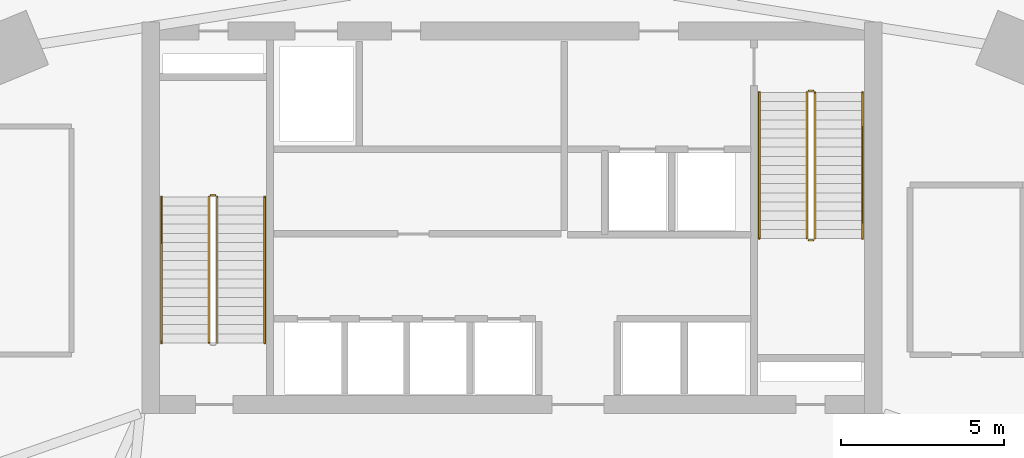
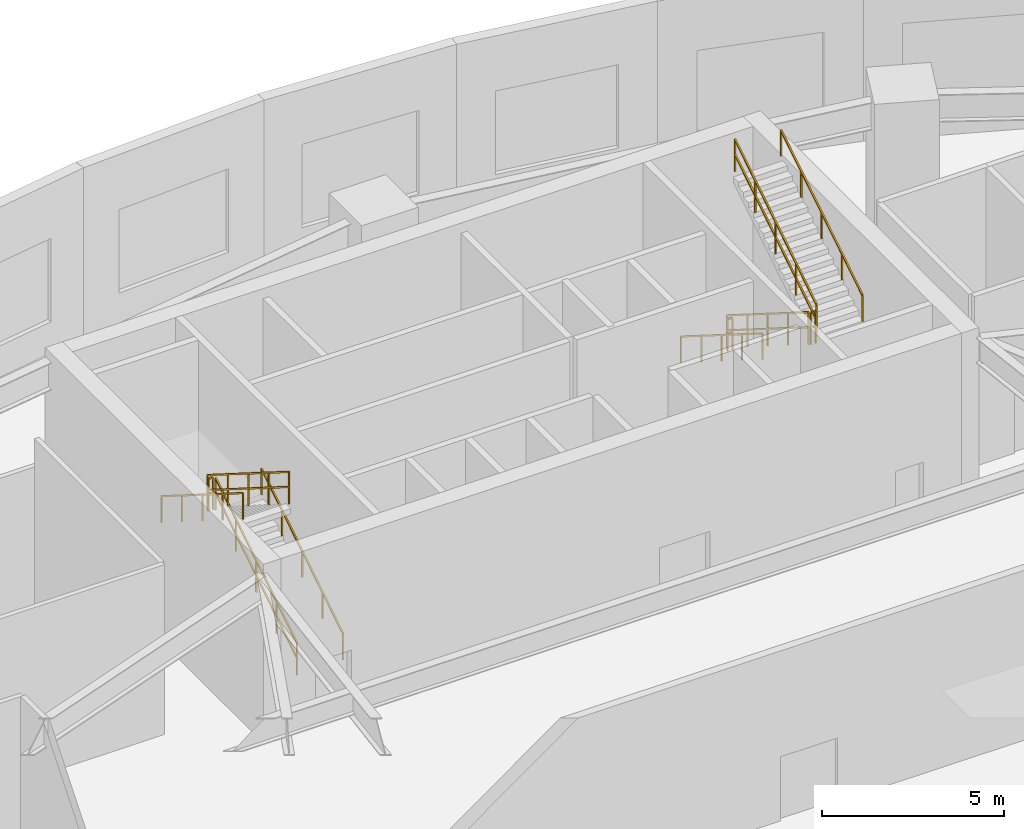
# One storey, part 9 of 10: 11 railings.
"""IFC4 building model written with IfcOpenShell, lengths in metres."""

from ifc_helpers import new_model, si_unit, direction, frame, origin, origin_2d, place, context, subcontext, project, spatial, rectangle, extrude, material, type_object, element, save


model = new_model("IFC4")

# Units and contexts
model_context = context("Model", 3, precision=1e-05, world=origin(), true_north=direction((0.0, 1.0)))
body_context = subcontext(model_context, "Body", "Model", "MODEL_VIEW")
ifc_project = project(units=[si_unit("LENGTHUNIT", "METRE"), si_unit("AREAUNIT", "SQUARE_METRE"), si_unit("VOLUMEUNIT", "CUBIC_METRE"), si_unit("PLANEANGLEUNIT", "RADIAN"), si_unit("MASSUNIT", "GRAM", prefix="KILO")], contexts=[model_context])

# Site, building, storey
site_placement = place(None, origin())
site = spatial("IfcSite", under=ifc_project, at=site_placement, CompositionType="ELEMENT")
building_placement = place(site_placement, origin())
building = spatial("IfcBuilding", under=site, at=building_placement, Name="Breltana Convention Tower", CompositionType="ELEMENT")
storey_placement = place(building_placement, frame((0.0, 0.0, 6.0)))
storey = spatial("IfcBuildingStorey", under=building, at=storey_placement, Name="L01", CompositionType="ELEMENT", Elevation=6.0)

# Railings
ifc_material_1 = material(Name="Steel S275 Painted", Category="steel")
railing_type_1 = type_object("IfcRailingType", Name="RL-STAIR-GUARD-1100", PredefinedType="GUARDRAIL", material=ifc_material_1)
railing_1_placement = place(storey_placement, frame((38.9599609375, 62.360107421875, 0.176513671875)))
element("IfcRailing", 1, at=railing_1_placement, inside=storey, type_object=railing_type_1, Name="L01 ST-1 stair guard 1", PredefinedType="GUARDRAIL", context=body_context, shape_type="SweptSolid", body=[
    extrude(rectangle(XDim=0.048095703125, YDim=0.048095703125, at=origin_2d()), frame((0.0, 0.0, 1.076171875), z_axis=(0.0, 0.845997938375, 0.533186166611), x_axis=(-1.0, 0.0, 0.0)), (0.0, 0.0, 1.0), 5.29541015625),
    extrude(rectangle(XDim=0.048095703125, YDim=0.048095703125, at=origin_2d()), frame((0.0, 0.0, 0.572021484375), z_axis=(0.0, 0.845997938375, 0.533186166611), x_axis=(-1.0, 0.0, 0.0)), (0.0, 0.0, 1.0), 5.29541015625),
    extrude(rectangle(XDim=0.0419921875, YDim=0.0419921875, at=origin_2d()), origin(), (0.0, 0.0, 1.0), 1.052001953125),
    extrude(rectangle(XDim=0.0419921875, YDim=0.0419921875, at=origin_2d()), frame((0.0, 1.1201171875, 0.705810546875)), (0.0, 0.0, 1.0), 1.052001953125),
    extrude(rectangle(XDim=0.0419921875, YDim=0.0419921875, at=origin_2d()), frame((0.0, 2.239990234375, 1.41162109375)), (0.0, 0.0, 1.0), 1.052001953125),
    extrude(rectangle(XDim=0.0419921875, YDim=0.0419921875, at=origin_2d()), frame((0.0, 3.35986328125, 2.11767578125)), (0.0, 0.0, 1.0), 1.052001953125),
    extrude(rectangle(XDim=0.0419921875, YDim=0.0419921875, at=origin_2d()), frame((0.0, 4.47998046875, 2.823486328125)), (0.0, 0.0, 1.0), 1.052001953125),
])
railing_2_placement = place(storey_placement, frame((38.909912109375, 66.889892578125, 3.0)))
element("IfcRailing", 2, at=railing_2_placement, inside=storey, type_object=railing_type_1, Name="L01 ST-1 stair guard 2", PredefinedType="GUARDRAIL", context=body_context, shape_type="SweptSolid", body=[
    extrude(rectangle(XDim=0.048095703125, YDim=0.048095703125, at=origin_2d()), frame((0.0, 0.0, 1.076171875), z_axis=(-1.0, 0.0, 0.0), x_axis=(0.0, -1.0, 0.0)), (0.0, 0.0, 1.0), 0.14990234375),
    extrude(rectangle(XDim=0.048095703125, YDim=0.048095703125, at=origin_2d()), frame((0.0, 0.0, 0.572021484375), z_axis=(-1.0, 0.0, 0.0), x_axis=(0.0, -1.0, 0.0)), (0.0, 0.0, 1.0), 0.14990234375),
    extrude(rectangle(XDim=0.0419921875, YDim=0.0419921875, at=origin_2d()), origin(), (0.0, 0.0, 1.0), 1.052001953125),
    extrude(rectangle(XDim=0.0419921875, YDim=0.0419921875, at=origin_2d()), frame((-0.14990234375, 0.0, 0.0)), (0.0, 0.0, 1.0), 1.052001953125),
])
for number, where, name in (
    (3, (38.7099609375, 66.840087890625, 3.176513671875), "L01 ST-1 stair guard 3"),
    (4, (57.0400390625, 70.0400390625, 0.176513671875), "L01 ST-2 stair guard 1"),
):
    element("IfcRailing", number, at=place(storey_placement, frame(where)), inside=storey, type_object=railing_type_1, Name=name, PredefinedType="GUARDRAIL", context=body_context, shape_type="SweptSolid", body=[
        extrude(rectangle(XDim=0.048095703125, YDim=0.048095703125, at=origin_2d()), frame((0.0, 0.0, 1.076171875), z_axis=(0.0, -0.845997938375, 0.533186166611), x_axis=(1.0, 0.0, 0.0)), (0.0, 0.0, 1.0), 5.29541015625),
        extrude(rectangle(XDim=0.048095703125, YDim=0.048095703125, at=origin_2d()), frame((0.0, 0.0, 0.572021484375), z_axis=(0.0, -0.845997938375, 0.533186166611), x_axis=(1.0, 0.0, 0.0)), (0.0, 0.0, 1.0), 5.29541015625),
        extrude(rectangle(XDim=0.0419921875, YDim=0.0419921875, at=origin_2d()), origin(), (0.0, 0.0, 1.0), 1.052001953125),
        extrude(rectangle(XDim=0.0419921875, YDim=0.0419921875, at=origin_2d()), frame((0.0, -1.1201171875, 0.705810546875)), (0.0, 0.0, 1.0), 1.052001953125),
        extrude(rectangle(XDim=0.0419921875, YDim=0.0419921875, at=origin_2d()), frame((0.0, -2.239990234375, 1.41162109375)), (0.0, 0.0, 1.0), 1.052001953125),
        extrude(rectangle(XDim=0.0419921875, YDim=0.0419921875, at=origin_2d()), frame((0.0, -3.35986328125, 2.11767578125)), (0.0, 0.0, 1.0), 1.052001953125),
        extrude(rectangle(XDim=0.0419921875, YDim=0.0419921875, at=origin_2d()), frame((0.0, -4.47998046875, 2.823486328125)), (0.0, 0.0, 1.0), 1.052001953125),
    ])
railing_3_placement = place(storey_placement, frame((57.090087890625, 65.510009765625, 3.0)))
element("IfcRailing", 5, at=railing_3_placement, inside=storey, type_object=railing_type_1, Name="L01 ST-2 stair guard 2", PredefinedType="GUARDRAIL", context=body_context, shape_type="SweptSolid", body=[
    extrude(rectangle(XDim=0.048095703125, YDim=0.048095703125, at=origin_2d()), frame((0.0, 0.0, 1.076171875), z_axis=(1.0, 0.0, 0.0), x_axis=(0.0, 1.0, 0.0)), (0.0, 0.0, 1.0), 0.14990234375),
    extrude(rectangle(XDim=0.048095703125, YDim=0.048095703125, at=origin_2d()), frame((0.0, 0.0, 0.572021484375), z_axis=(1.0, 0.0, 0.0), x_axis=(0.0, 1.0, 0.0)), (0.0, 0.0, 1.0), 0.14990234375),
    extrude(rectangle(XDim=0.0419921875, YDim=0.0419921875, at=origin_2d()), origin(), (0.0, 0.0, 1.0), 1.052001953125),
    extrude(rectangle(XDim=0.0419921875, YDim=0.0419921875, at=origin_2d()), frame((0.14990234375, 0.0, 0.0)), (0.0, 0.0, 1.0), 1.052001953125),
])
railing_4_placement = place(storey_placement, frame((57.2900390625, 65.56005859375, 3.176513671875)))
element("IfcRailing", 6, at=railing_4_placement, inside=storey, type_object=railing_type_1, Name="L01 ST-2 stair guard 3", PredefinedType="GUARDRAIL", context=body_context, shape_type="SweptSolid", body=[
    extrude(rectangle(XDim=0.048095703125, YDim=0.048095703125, at=origin_2d()), frame((0.0, 0.0, 1.076171875), z_axis=(0.0, 0.845997938375, 0.533186166611), x_axis=(-1.0, 0.0, 0.0)), (0.0, 0.0, 1.0), 5.29541015625),
    extrude(rectangle(XDim=0.048095703125, YDim=0.048095703125, at=origin_2d()), frame((0.0, 0.0, 0.572021484375), z_axis=(0.0, 0.845997938375, 0.533186166611), x_axis=(-1.0, 0.0, 0.0)), (0.0, 0.0, 1.0), 5.29541015625),
    extrude(rectangle(XDim=0.0419921875, YDim=0.0419921875, at=origin_2d()), origin(), (0.0, 0.0, 1.0), 1.052001953125),
    extrude(rectangle(XDim=0.0419921875, YDim=0.0419921875, at=origin_2d()), frame((0.0, 1.1201171875, 0.705810546875)), (0.0, 0.0, 1.0), 1.052001953125),
    extrude(rectangle(XDim=0.0419921875, YDim=0.0419921875, at=origin_2d()), frame((0.0, 2.239990234375, 1.41162109375)), (0.0, 0.0, 1.0), 1.052001953125),
    extrude(rectangle(XDim=0.0419921875, YDim=0.0419921875, at=origin_2d()), frame((0.0, 3.35986328125, 2.11767578125)), (0.0, 0.0, 1.0), 1.052001953125),
    extrude(rectangle(XDim=0.0419921875, YDim=0.0419921875, at=origin_2d()), frame((0.0, 4.47998046875, 2.823486328125)), (0.0, 0.0, 1.0), 1.052001953125),
])
railing_5_placement = place(storey_placement, frame((57.090087890625, 70.090087890625, 0.0)))
element("IfcRailing", 7, at=railing_5_placement, inside=storey, type_object=railing_type_1, Name="L01 ST-2 stair guard 4", PredefinedType="GUARDRAIL", context=body_context, shape_type="SweptSolid", body=[
    extrude(rectangle(XDim=0.048095703125, YDim=0.048095703125, at=origin_2d()), frame((0.0, 0.0, 1.076171875), z_axis=(1.0, 0.0, 0.0), x_axis=(0.0, 1.0, 0.0)), (0.0, 0.0, 1.0), 0.14990234375),
    extrude(rectangle(XDim=0.048095703125, YDim=0.048095703125, at=origin_2d()), frame((0.0, 0.0, 0.572021484375), z_axis=(1.0, 0.0, 0.0), x_axis=(0.0, 1.0, 0.0)), (0.0, 0.0, 1.0), 0.14990234375),
    extrude(rectangle(XDim=0.0419921875, YDim=0.0419921875, at=origin_2d()), origin(), (0.0, 0.0, 1.0), 1.052001953125),
    extrude(rectangle(XDim=0.0419921875, YDim=0.0419921875, at=origin_2d()), frame((0.14990234375, 0.0, 0.0)), (0.0, 0.0, 1.0), 1.052001953125),
])
ifc_material_2 = material(Name="Stainless Steel 316L", Category="steel")
railing_type_2 = type_object("IfcRailingType", Name="RL-STAIR-HANDRAIL-900", PredefinedType="HANDRAIL", material=ifc_material_2)
railing_6_placement = place(storey_placement, frame((40.419921875, 62.360107421875, 0.176513671875)))
element("IfcRailing", 8, at=railing_6_placement, inside=storey, type_object=railing_type_2, Name="L01 ST-1 stair handrail 1", PredefinedType="HANDRAIL", context=body_context, shape_type="SweptSolid", body=[
    extrude(rectangle(XDim=0.048095703125, YDim=0.048095703125, at=origin_2d()), frame((0.0, 0.0, 0.8759765625), z_axis=(0.0, 0.845997938375, 0.533186166611), x_axis=(-1.0, 0.0, 0.0)), (0.0, 0.0, 1.0), 5.29541015625),
    extrude(rectangle(XDim=0.0419921875, YDim=0.0419921875, at=origin_2d()), origin(), (0.0, 0.0, 1.0), 0.851806640625),
    extrude(rectangle(XDim=0.0419921875, YDim=0.0419921875, at=origin_2d()), frame((0.0, 1.1201171875, 0.705810546875)), (0.0, 0.0, 1.0), 0.851806640625),
    extrude(rectangle(XDim=0.0419921875, YDim=0.0419921875, at=origin_2d()), frame((0.0, 2.239990234375, 1.41162109375)), (0.0, 0.0, 1.0), 0.851806640625),
    extrude(rectangle(XDim=0.0419921875, YDim=0.0419921875, at=origin_2d()), frame((0.0, 3.35986328125, 2.11767578125)), (0.0, 0.0, 1.0), 0.851806640625),
    extrude(rectangle(XDim=0.0419921875, YDim=0.0419921875, at=origin_2d()), frame((0.0, 4.47998046875, 2.823486328125)), (0.0, 0.0, 1.0), 0.851806640625),
])
for number, where, name in (
    (9, (37.25, 66.840087890625, 3.176513671875), "L01 ST-1 stair handrail 2"),
    (10, (55.580078125, 70.0400390625, 0.176513671875), "L01 ST-2 stair handrail 1"),
):
    element("IfcRailing", number, at=place(storey_placement, frame(where)), inside=storey, type_object=railing_type_2, Name=name, PredefinedType="HANDRAIL", context=body_context, shape_type="SweptSolid", body=[
        extrude(rectangle(XDim=0.048095703125, YDim=0.048095703125, at=origin_2d()), frame((0.0, 0.0, 0.8759765625), z_axis=(0.0, -0.845997938375, 0.533186166611), x_axis=(1.0, 0.0, 0.0)), (0.0, 0.0, 1.0), 5.29541015625),
        extrude(rectangle(XDim=0.0419921875, YDim=0.0419921875, at=origin_2d()), origin(), (0.0, 0.0, 1.0), 0.851806640625),
        extrude(rectangle(XDim=0.0419921875, YDim=0.0419921875, at=origin_2d()), frame((0.0, -1.1201171875, 0.705810546875)), (0.0, 0.0, 1.0), 0.851806640625),
        extrude(rectangle(XDim=0.0419921875, YDim=0.0419921875, at=origin_2d()), frame((0.0, -2.239990234375, 1.41162109375)), (0.0, 0.0, 1.0), 0.851806640625),
        extrude(rectangle(XDim=0.0419921875, YDim=0.0419921875, at=origin_2d()), frame((0.0, -3.35986328125, 2.11767578125)), (0.0, 0.0, 1.0), 0.851806640625),
        extrude(rectangle(XDim=0.0419921875, YDim=0.0419921875, at=origin_2d()), frame((0.0, -4.47998046875, 2.823486328125)), (0.0, 0.0, 1.0), 0.851806640625),
    ])
railing_7_placement = place(storey_placement, frame((58.75, 65.56005859375, 3.176513671875)))
element("IfcRailing", 11, at=railing_7_placement, inside=storey, type_object=railing_type_2, Name="L01 ST-2 stair handrail 2", PredefinedType="HANDRAIL", context=body_context, shape_type="SweptSolid", body=[
    extrude(rectangle(XDim=0.048095703125, YDim=0.048095703125, at=origin_2d()), frame((0.0, 0.0, 0.8759765625), z_axis=(0.0, 0.845997938375, 0.533186166611), x_axis=(-1.0, 0.0, 0.0)), (0.0, 0.0, 1.0), 5.29541015625),
    extrude(rectangle(XDim=0.0419921875, YDim=0.0419921875, at=origin_2d()), origin(), (0.0, 0.0, 1.0), 0.851806640625),
    extrude(rectangle(XDim=0.0419921875, YDim=0.0419921875, at=origin_2d()), frame((0.0, 1.1201171875, 0.705810546875)), (0.0, 0.0, 1.0), 0.851806640625),
    extrude(rectangle(XDim=0.0419921875, YDim=0.0419921875, at=origin_2d()), frame((0.0, 2.239990234375, 1.41162109375)), (0.0, 0.0, 1.0), 0.851806640625),
    extrude(rectangle(XDim=0.0419921875, YDim=0.0419921875, at=origin_2d()), frame((0.0, 3.35986328125, 2.11767578125)), (0.0, 0.0, 1.0), 0.851806640625),
    extrude(rectangle(XDim=0.0419921875, YDim=0.0419921875, at=origin_2d()), frame((0.0, 4.47998046875, 2.823486328125)), (0.0, 0.0, 1.0), 0.851806640625),
])

save(model, "model.ifc")
